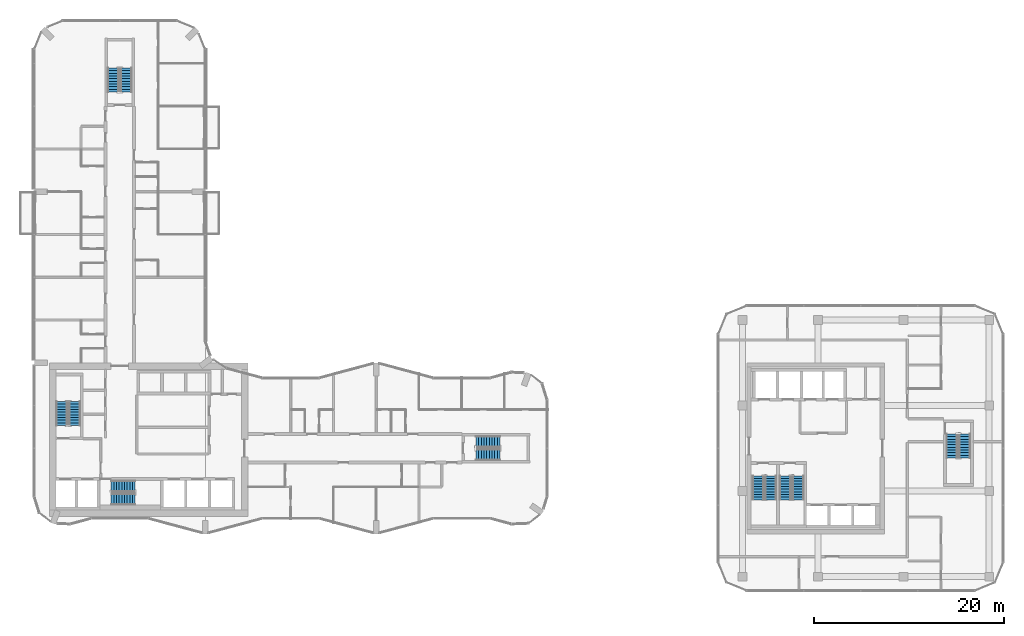
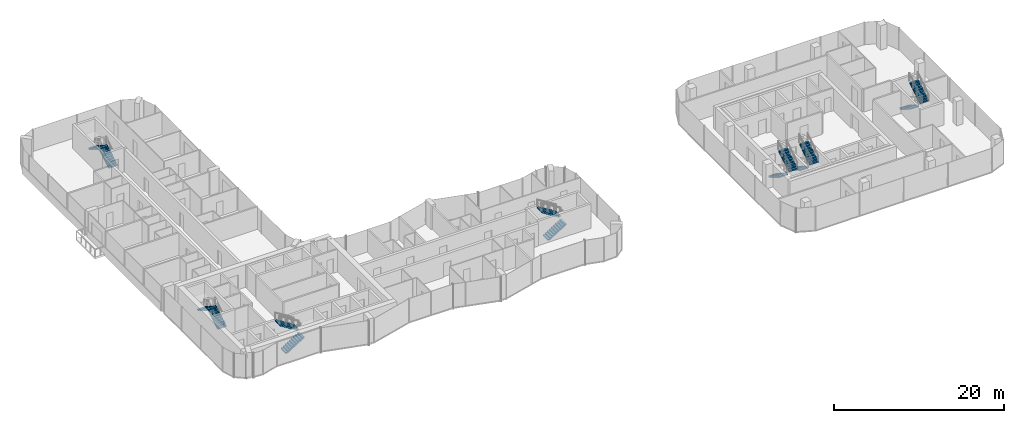
# One storey, part 19 of 22: 14 stair flights, 7 elements without a shape of their own.
"""IFC4 building model written with IfcOpenShell, lengths in metres."""

from ifc_helpers import new_model, si_unit, direction, frame, origin, place, context, subcontext, project, spatial, polyline, outline, extrude, material, type_object, element, aggregate, save


model = new_model("IFC4")

# Units and contexts
model_context = context("Model", 3, precision=1e-05, world=origin(), true_north=direction((0.0, 1.0)))
body_context = subcontext(model_context, "Body", "Model", "MODEL_VIEW")
ifc_project = project(units=[si_unit("LENGTHUNIT", "METRE"), si_unit("AREAUNIT", "SQUARE_METRE"), si_unit("VOLUMEUNIT", "CUBIC_METRE"), si_unit("PLANEANGLEUNIT", "RADIAN"), si_unit("MASSUNIT", "GRAM", prefix="KILO")], contexts=[model_context])

# Site, building, storey
site_placement = place(None, origin())
site = spatial("IfcSite", under=ifc_project, at=site_placement, CompositionType="ELEMENT")
building_placement = place(site_placement, origin())
building = spatial("IfcBuilding", under=site, at=building_placement, Name="Plateau Cross Towers", CompositionType="ELEMENT")
storey_placement = place(building_placement, frame((0.0, 0.0, 65.300048828125)))
storey = spatial("IfcBuildingStorey", under=building, at=storey_placement, Name="L16", CompositionType="ELEMENT", Elevation=65.300048828125)

# Stair, stair flights
ifc_material = material(Name="Concrete C40/50", Category="concrete")
stair_type = type_object("IfcStairType", Name="ST-TWR", PredefinedType="HALF_TURN_STAIR", material=ifc_material)
stair_1_placement = place(storey_placement, origin())
stair_1 = element("IfcStair", 1, at=stair_1_placement, inside=storey, type_object=stair_type, Name="L16 Protected Exit Stair ST-1", PredefinedType="HALF_TURN_STAIR")
stair_flight_type = type_object("IfcStairFlightType", Name="SFL-RC", PredefinedType="STRAIGHT", material=ifc_material)
stair_flight_1_placement = place(storey_placement, frame((4.25, 11.39990234375, 0.0), z_axis=(0.0, 0.0, 1.0), x_axis=(0.0, 1.0, 0.0)))
stair_flight_1 = element("IfcStairFlight", 2, at=stair_flight_1_placement, type_object=stair_flight_type, Name="ST-1 flight 1", NumberOfRisers=10, NumberOfTreads=9, PredefinedType="STRAIGHT", RiserHeight=0.175, TreadLength=0.28, context=body_context, shape_type="SweptSolid", body=[
    extrude(outline(polyline([(-0.0048828125, -0.010009765625), (-0.0048828125, 0.0), (0.0, 0.0), (0.0, 0.175048828125), (0.280029296875, 0.175048828125), (0.280029296875, 0.35009765625), (0.56005859375, 0.35009765625), (0.56005859375, 0.52490234375), (0.840087890625, 0.52490234375), (0.840087890625, 0.699951171875), (1.1201171875, 0.699951171875), (1.1201171875, 0.875), (1.39990234375, 0.875), (1.39990234375, 1.050048828125), (1.679931640625, 1.050048828125), (1.679931640625, 1.22509765625), (1.9599609375, 1.22509765625), (1.9599609375, 1.39990234375), (2.239990234375, 1.39990234375), (2.239990234375, 1.574951171875), (2.52001953125, 1.574951171875), (2.52490234375, 1.56494140625), (2.52490234375, 1.398193359375), (2.52001953125, 1.398193359375), (0.28271484375, 0.0), (0.02001953125, 0.0), (0.02001953125, -0.010009765625), (-0.0048828125, -0.010009765625)])), frame((0.0, 0.60009765625, 0.0), z_axis=(0.0, -1.0, 0.0), x_axis=(1.0, 0.0, 0.0)), (0.0, 0.0, 1.0), 1.199951171875),
])
stair_flight_2_placement = place(storey_placement, frame((2.89990234375, 13.919921875, 1.75), z_axis=(0.0, 0.0, 1.0), x_axis=(0.0, -1.0, 0.0)))
stair_flight_2 = element("IfcStairFlight", 3, at=stair_flight_2_placement, type_object=stair_flight_type, Name="ST-1 flight 2", NumberOfRisers=10, NumberOfTreads=9, PredefinedType="STRAIGHT", RiserHeight=0.175, TreadLength=0.28, context=body_context, shape_type="SweptSolid", body=[
    extrude(outline(polyline([(-0.0048828125, -0.010009765625), (-0.0048828125, 0.0), (0.0, 0.0), (0.0, 0.175048828125), (0.280029296875, 0.175048828125), (0.280029296875, 0.35009765625), (0.56005859375, 0.35009765625), (0.56005859375, 0.52490234375), (0.840087890625, 0.52490234375), (0.840087890625, 0.699951171875), (1.1201171875, 0.699951171875), (1.1201171875, 0.875), (1.39990234375, 0.875), (1.39990234375, 1.050048828125), (1.679931640625, 1.050048828125), (1.679931640625, 1.22509765625), (1.9599609375, 1.22509765625), (1.9599609375, 1.39990234375), (2.239990234375, 1.39990234375), (2.239990234375, 1.574951171875), (2.52001953125, 1.574951171875), (2.52490234375, 1.56494140625), (2.52490234375, 1.398193359375), (2.52001953125, 1.398193359375), (0.28271484375, 0.0), (0.02001953125, 0.0), (0.02001953125, -0.010009765625), (-0.0048828125, -0.010009765625)])), frame((0.0, 0.60009765625, 0.0), z_axis=(0.0, -1.0, 0.0), x_axis=(1.0, 0.0, 0.0)), (0.0, 0.0, 1.0), 1.199951171875),
])
aggregate(stair_1, [stair_flight_1, stair_flight_2])

stair_2_placement = place(storey_placement, origin())
stair_2 = element("IfcStair", 4, at=stair_2_placement, inside=storey, type_object=stair_type, Name="L16 Protected Exit Stair ST-2", PredefinedType="HALF_TURN_STAIR")
stair_flight_3_placement = place(storey_placement, frame((8.10009765625, 3.64990234375, 0.0), z_axis=(0.0, 0.0, 1.0), x_axis=(1.0, 0.0, 0.0)))
stair_flight_3 = element("IfcStairFlight", 5, at=stair_flight_3_placement, type_object=stair_flight_type, Name="ST-2 flight 1", NumberOfRisers=10, NumberOfTreads=9, PredefinedType="STRAIGHT", RiserHeight=0.175, TreadLength=0.28, context=body_context, shape_type="SweptSolid", body=[
    extrude(outline(polyline([(-0.0048828125, -0.010009765625), (-0.0048828125, 0.0), (0.0, 0.0), (0.0, 0.175048828125), (0.280029296875, 0.175048828125), (0.280029296875, 0.35009765625), (0.56005859375, 0.35009765625), (0.56005859375, 0.52490234375), (0.840087890625, 0.52490234375), (0.840087890625, 0.699951171875), (1.1201171875, 0.699951171875), (1.1201171875, 0.875), (1.39990234375, 0.875), (1.39990234375, 1.050048828125), (1.679931640625, 1.050048828125), (1.679931640625, 1.22509765625), (1.9599609375, 1.22509765625), (1.9599609375, 1.39990234375), (2.239990234375, 1.39990234375), (2.239990234375, 1.574951171875), (2.52001953125, 1.574951171875), (2.52490234375, 1.56494140625), (2.52490234375, 1.398193359375), (2.52001953125, 1.398193359375), (0.28271484375, 0.0), (0.02001953125, 0.0), (0.02001953125, -0.010009765625), (-0.0048828125, -0.010009765625)])), frame((0.0, 0.60009765625, 0.0), z_axis=(0.0, -1.0, 0.0), x_axis=(1.0, 0.0, 0.0)), (0.0, 0.0, 1.0), 1.199951171875),
])
stair_flight_4_placement = place(storey_placement, frame((10.6201171875, 5.0, 1.75), z_axis=(0.0, 0.0, 1.0), x_axis=(-1.0, 0.0, 0.0)))
stair_flight_4 = element("IfcStairFlight", 6, at=stair_flight_4_placement, type_object=stair_flight_type, Name="ST-2 flight 2", NumberOfRisers=10, NumberOfTreads=9, PredefinedType="STRAIGHT", RiserHeight=0.175, TreadLength=0.28, context=body_context, shape_type="SweptSolid", body=[
    extrude(outline(polyline([(-0.0048828125, -0.010009765625), (-0.0048828125, 0.0), (0.0, 0.0), (0.0, 0.175048828125), (0.280029296875, 0.175048828125), (0.280029296875, 0.35009765625), (0.56005859375, 0.35009765625), (0.56005859375, 0.52490234375), (0.840087890625, 0.52490234375), (0.840087890625, 0.699951171875), (1.1201171875, 0.699951171875), (1.1201171875, 0.875), (1.39990234375, 0.875), (1.39990234375, 1.050048828125), (1.679931640625, 1.050048828125), (1.679931640625, 1.22509765625), (1.9599609375, 1.22509765625), (1.9599609375, 1.39990234375), (2.239990234375, 1.39990234375), (2.239990234375, 1.574951171875), (2.52001953125, 1.574951171875), (2.52490234375, 1.56494140625), (2.52490234375, 1.398193359375), (2.52001953125, 1.398193359375), (0.28271484375, 0.0), (0.02001953125, 0.0), (0.02001953125, -0.010009765625), (-0.0048828125, -0.010009765625)])), frame((0.0, 0.60009765625, 0.0), z_axis=(0.0, -1.0, 0.0), x_axis=(1.0, 0.0, 0.0)), (0.0, 0.0, 1.0), 1.199951171875),
])
aggregate(stair_2, [stair_flight_3, stair_flight_4])

stair_3_placement = place(storey_placement, origin())
stair_3 = element("IfcStair", 7, at=stair_3_placement, inside=storey, type_object=stair_type, Name="L16 Protected Exit Stair SB-1", PredefinedType="HALF_TURN_STAIR")
stair_flight_5_placement = place(storey_placement, frame((76.199951171875, 6.10009765625, 0.0), z_axis=(0.0, 0.0, 1.0), x_axis=(0.0, -1.0, 0.0)))
stair_flight_5 = element("IfcStairFlight", 8, at=stair_flight_5_placement, type_object=stair_flight_type, Name="SB-1 flight 1", NumberOfRisers=10, NumberOfTreads=9, PredefinedType="STRAIGHT", RiserHeight=0.175, TreadLength=0.28, context=body_context, shape_type="SweptSolid", body=[
    extrude(outline(polyline([(-0.0048828125, -0.010009765625), (-0.0048828125, 0.0), (0.0, 0.0), (0.0, 0.175048828125), (0.280029296875, 0.175048828125), (0.280029296875, 0.35009765625), (0.56005859375, 0.35009765625), (0.56005859375, 0.52490234375), (0.840087890625, 0.52490234375), (0.840087890625, 0.699951171875), (1.1201171875, 0.699951171875), (1.1201171875, 0.875), (1.39990234375, 0.875), (1.39990234375, 1.050048828125), (1.679931640625, 1.050048828125), (1.679931640625, 1.22509765625), (1.9599609375, 1.22509765625), (1.9599609375, 1.39990234375), (2.239990234375, 1.39990234375), (2.239990234375, 1.574951171875), (2.52001953125, 1.574951171875), (2.52490234375, 1.56494140625), (2.52490234375, 1.398193359375), (2.52001953125, 1.398193359375), (0.28271484375, 0.0), (0.02001953125, 0.0), (0.02001953125, -0.010009765625), (-0.0048828125, -0.010009765625)])), frame((0.0, 0.60009765625, 0.0), z_axis=(0.0, -1.0, 0.0), x_axis=(1.0, 0.0, 0.0)), (0.0, 0.0, 1.0), 1.199951171875),
])
stair_flight_6_placement = place(storey_placement, frame((77.550048828125, 3.580078125, 1.75), z_axis=(0.0, 0.0, 1.0), x_axis=(0.0, 1.0, 0.0)))
stair_flight_6 = element("IfcStairFlight", 9, at=stair_flight_6_placement, type_object=stair_flight_type, Name="SB-1 flight 2", NumberOfRisers=10, NumberOfTreads=9, PredefinedType="STRAIGHT", RiserHeight=0.175, TreadLength=0.28, context=body_context, shape_type="SweptSolid", body=[
    extrude(outline(polyline([(-0.0048828125, -0.010009765625), (-0.0048828125, 0.0), (0.0, 0.0), (0.0, 0.175048828125), (0.280029296875, 0.175048828125), (0.280029296875, 0.35009765625), (0.56005859375, 0.35009765625), (0.56005859375, 0.52490234375), (0.840087890625, 0.52490234375), (0.840087890625, 0.699951171875), (1.1201171875, 0.699951171875), (1.1201171875, 0.875), (1.39990234375, 0.875), (1.39990234375, 1.050048828125), (1.679931640625, 1.050048828125), (1.679931640625, 1.22509765625), (1.9599609375, 1.22509765625), (1.9599609375, 1.39990234375), (2.239990234375, 1.39990234375), (2.239990234375, 1.574951171875), (2.52001953125, 1.574951171875), (2.52490234375, 1.56494140625), (2.52490234375, 1.398193359375), (2.52001953125, 1.398193359375), (0.28271484375, 0.0), (0.02001953125, 0.0), (0.02001953125, -0.010009765625), (-0.0048828125, -0.010009765625)])), frame((0.0, 0.60009765625, 0.0), z_axis=(0.0, -1.0, 0.0), x_axis=(1.0, 0.0, 0.0)), (0.0, 0.0, 1.0), 1.199951171875),
])
aggregate(stair_3, [stair_flight_5, stair_flight_6])

stair_4_placement = place(storey_placement, origin())
stair_4 = element("IfcStair", 10, at=stair_4_placement, inside=storey, type_object=stair_type, Name="L16 Protected Exit Stair SB-2", PredefinedType="HALF_TURN_STAIR")
stair_flight_7_placement = place(storey_placement, frame((79.050048828125, 6.10009765625, 0.0), z_axis=(0.0, 0.0, 1.0), x_axis=(0.0, -1.0, 0.0)))
stair_flight_7 = element("IfcStairFlight", 11, at=stair_flight_7_placement, type_object=stair_flight_type, Name="SB-2 flight 1", NumberOfRisers=10, NumberOfTreads=9, PredefinedType="STRAIGHT", RiserHeight=0.175, TreadLength=0.28, context=body_context, shape_type="SweptSolid", body=[
    extrude(outline(polyline([(-0.0048828125, -0.010009765625), (-0.0048828125, 0.0), (0.0, 0.0), (0.0, 0.175048828125), (0.280029296875, 0.175048828125), (0.280029296875, 0.35009765625), (0.56005859375, 0.35009765625), (0.56005859375, 0.52490234375), (0.840087890625, 0.52490234375), (0.840087890625, 0.699951171875), (1.1201171875, 0.699951171875), (1.1201171875, 0.875), (1.39990234375, 0.875), (1.39990234375, 1.050048828125), (1.679931640625, 1.050048828125), (1.679931640625, 1.22509765625), (1.9599609375, 1.22509765625), (1.9599609375, 1.39990234375), (2.239990234375, 1.39990234375), (2.239990234375, 1.574951171875), (2.52001953125, 1.574951171875), (2.52490234375, 1.56494140625), (2.52490234375, 1.398193359375), (2.52001953125, 1.398193359375), (0.28271484375, 0.0), (0.02001953125, 0.0), (0.02001953125, -0.010009765625), (-0.0048828125, -0.010009765625)])), frame((0.0, 0.60009765625, 0.0), z_axis=(0.0, -1.0, 0.0), x_axis=(1.0, 0.0, 0.0)), (0.0, 0.0, 1.0), 1.199951171875),
])
stair_flight_8_placement = place(storey_placement, frame((80.39990234375, 3.580078125, 1.75), z_axis=(0.0, 0.0, 1.0), x_axis=(0.0, 1.0, 0.0)))
stair_flight_8 = element("IfcStairFlight", 12, at=stair_flight_8_placement, type_object=stair_flight_type, Name="SB-2 flight 2", NumberOfRisers=10, NumberOfTreads=9, PredefinedType="STRAIGHT", RiserHeight=0.175, TreadLength=0.28, context=body_context, shape_type="SweptSolid", body=[
    extrude(outline(polyline([(-0.0048828125, -0.010009765625), (-0.0048828125, 0.0), (0.0, 0.0), (0.0, 0.175048828125), (0.280029296875, 0.175048828125), (0.280029296875, 0.35009765625), (0.56005859375, 0.35009765625), (0.56005859375, 0.52490234375), (0.840087890625, 0.52490234375), (0.840087890625, 0.699951171875), (1.1201171875, 0.699951171875), (1.1201171875, 0.875), (1.39990234375, 0.875), (1.39990234375, 1.050048828125), (1.679931640625, 1.050048828125), (1.679931640625, 1.22509765625), (1.9599609375, 1.22509765625), (1.9599609375, 1.39990234375), (2.239990234375, 1.39990234375), (2.239990234375, 1.574951171875), (2.52001953125, 1.574951171875), (2.52490234375, 1.56494140625), (2.52490234375, 1.398193359375), (2.52001953125, 1.398193359375), (0.28271484375, 0.0), (0.02001953125, 0.0), (0.02001953125, -0.010009765625), (-0.0048828125, -0.010009765625)])), frame((0.0, 0.60009765625, 0.0), z_axis=(0.0, -1.0, 0.0), x_axis=(1.0, 0.0, 0.0)), (0.0, 0.0, 1.0), 1.199951171875),
])
aggregate(stair_4, [stair_flight_7, stair_flight_8])

stair_5_placement = place(storey_placement, origin())
stair_5 = element("IfcStair", 13, at=stair_5_placement, inside=storey, type_object=stair_type, Name="L16 Protected Exit Stair SB-3", PredefinedType="HALF_TURN_STAIR")
stair_flight_9_placement = place(storey_placement, frame((96.60009765625, 10.5, 0.0), z_axis=(0.0, 0.0, 1.0), x_axis=(0.0, -1.0, 0.0)))
stair_flight_9 = element("IfcStairFlight", 14, at=stair_flight_9_placement, type_object=stair_flight_type, Name="SB-3 flight 1", NumberOfRisers=10, NumberOfTreads=9, PredefinedType="STRAIGHT", RiserHeight=0.175, TreadLength=0.28, context=body_context, shape_type="SweptSolid", body=[
    extrude(outline(polyline([(-0.0048828125, -0.010009765625), (-0.0048828125, 0.0), (0.0, 0.0), (0.0, 0.175048828125), (0.280029296875, 0.175048828125), (0.280029296875, 0.35009765625), (0.56005859375, 0.35009765625), (0.56005859375, 0.52490234375), (0.840087890625, 0.52490234375), (0.840087890625, 0.699951171875), (1.1201171875, 0.699951171875), (1.1201171875, 0.875), (1.39990234375, 0.875), (1.39990234375, 1.050048828125), (1.679931640625, 1.050048828125), (1.679931640625, 1.22509765625), (1.9599609375, 1.22509765625), (1.9599609375, 1.39990234375), (2.239990234375, 1.39990234375), (2.239990234375, 1.574951171875), (2.52001953125, 1.574951171875), (2.52490234375, 1.56494140625), (2.52490234375, 1.398193359375), (2.52001953125, 1.398193359375), (0.28271484375, 0.0), (0.02001953125, 0.0), (0.02001953125, -0.010009765625), (-0.0048828125, -0.010009765625)])), frame((0.0, 0.60009765625, 0.0), z_axis=(0.0, -1.0, 0.0), x_axis=(1.0, 0.0, 0.0)), (0.0, 0.0, 1.0), 1.199951171875),
])
stair_flight_10_placement = place(storey_placement, frame((97.949951171875, 7.97998046875, 1.75), z_axis=(0.0, 0.0, 1.0), x_axis=(0.0, 1.0, 0.0)))
stair_flight_10 = element("IfcStairFlight", 15, at=stair_flight_10_placement, type_object=stair_flight_type, Name="SB-3 flight 2", NumberOfRisers=10, NumberOfTreads=9, PredefinedType="STRAIGHT", RiserHeight=0.175, TreadLength=0.28, context=body_context, shape_type="SweptSolid", body=[
    extrude(outline(polyline([(-0.0048828125, -0.010009765625), (-0.0048828125, 0.0), (0.0, 0.0), (0.0, 0.175048828125), (0.280029296875, 0.175048828125), (0.280029296875, 0.35009765625), (0.56005859375, 0.35009765625), (0.56005859375, 0.52490234375), (0.840087890625, 0.52490234375), (0.840087890625, 0.699951171875), (1.1201171875, 0.699951171875), (1.1201171875, 0.875), (1.39990234375, 0.875), (1.39990234375, 1.050048828125), (1.679931640625, 1.050048828125), (1.679931640625, 1.22509765625), (1.9599609375, 1.22509765625), (1.9599609375, 1.39990234375), (2.239990234375, 1.39990234375), (2.239990234375, 1.574951171875), (2.52001953125, 1.574951171875), (2.52490234375, 1.56494140625), (2.52490234375, 1.398193359375), (2.52001953125, 1.398193359375), (0.28271484375, 0.0), (0.02001953125, 0.0), (0.02001953125, -0.010009765625), (-0.0048828125, -0.010009765625)])), frame((0.0, 0.60009765625, 0.0), z_axis=(0.0, -1.0, 0.0), x_axis=(1.0, 0.0, 0.0)), (0.0, 0.0, 1.0), 1.199951171875),
])
aggregate(stair_5, [stair_flight_9, stair_flight_10])

stair_6_placement = place(storey_placement, origin())
stair_6 = element("IfcStair", 16, at=stair_6_placement, inside=storey, type_object=stair_type, Name="L16 Protected Exit Stair E", PredefinedType="HALF_TURN_STAIR")
stair_flight_11_placement = place(storey_placement, frame((46.5, 8.324951171875, 0.0), z_axis=(0.0, 0.0, 1.0), x_axis=(1.0, 0.0, 0.0)))
stair_flight_11 = element("IfcStairFlight", 17, at=stair_flight_11_placement, type_object=stair_flight_type, Name="ES-E flight 1", NumberOfRisers=10, NumberOfTreads=9, PredefinedType="STRAIGHT", RiserHeight=0.175, TreadLength=0.28, context=body_context, shape_type="SweptSolid", body=[
    extrude(outline(polyline([(-0.0048828125, -0.010009765625), (-0.0048828125, 0.0), (0.0, 0.0), (0.0, 0.175048828125), (0.280029296875, 0.175048828125), (0.280029296875, 0.35009765625), (0.56005859375, 0.35009765625), (0.56005859375, 0.52490234375), (0.840087890625, 0.52490234375), (0.840087890625, 0.699951171875), (1.1201171875, 0.699951171875), (1.1201171875, 0.875), (1.39990234375, 0.875), (1.39990234375, 1.050048828125), (1.679931640625, 1.050048828125), (1.679931640625, 1.22509765625), (1.9599609375, 1.22509765625), (1.9599609375, 1.39990234375), (2.239990234375, 1.39990234375), (2.239990234375, 1.574951171875), (2.52001953125, 1.574951171875), (2.52490234375, 1.56494140625), (2.52490234375, 1.398193359375), (2.52001953125, 1.398193359375), (0.28271484375, 0.0), (0.02001953125, 0.0), (0.02001953125, -0.010009765625), (-0.0048828125, -0.010009765625)])), frame((0.0, 0.60009765625, 0.0), z_axis=(0.0, -1.0, 0.0), x_axis=(1.0, 0.0, 0.0)), (0.0, 0.0, 1.0), 1.199951171875),
])
stair_flight_12_placement = place(storey_placement, frame((49.02001953125, 9.675048828125, 1.75), z_axis=(0.0, 0.0, 1.0), x_axis=(-1.0, 0.0, 0.0)))
stair_flight_12 = element("IfcStairFlight", 18, at=stair_flight_12_placement, type_object=stair_flight_type, Name="ES-E flight 2", NumberOfRisers=10, NumberOfTreads=9, PredefinedType="STRAIGHT", RiserHeight=0.175, TreadLength=0.28, context=body_context, shape_type="SweptSolid", body=[
    extrude(outline(polyline([(-0.0048828125, -0.010009765625), (-0.0048828125, 0.0), (0.0, 0.0), (0.0, 0.175048828125), (0.280029296875, 0.175048828125), (0.280029296875, 0.35009765625), (0.56005859375, 0.35009765625), (0.56005859375, 0.52490234375), (0.840087890625, 0.52490234375), (0.840087890625, 0.699951171875), (1.1201171875, 0.699951171875), (1.1201171875, 0.875), (1.39990234375, 0.875), (1.39990234375, 1.050048828125), (1.679931640625, 1.050048828125), (1.679931640625, 1.22509765625), (1.9599609375, 1.22509765625), (1.9599609375, 1.39990234375), (2.239990234375, 1.39990234375), (2.239990234375, 1.574951171875), (2.52001953125, 1.574951171875), (2.52490234375, 1.56494140625), (2.52490234375, 1.398193359375), (2.52001953125, 1.398193359375), (0.28271484375, 0.0), (0.02001953125, 0.0), (0.02001953125, -0.010009765625), (-0.0048828125, -0.010009765625)])), frame((0.0, 0.60009765625, 0.0), z_axis=(0.0, -1.0, 0.0), x_axis=(1.0, 0.0, 0.0)), (0.0, 0.0, 1.0), 1.199951171875),
])
aggregate(stair_6, [stair_flight_11, stair_flight_12])

stair_7_placement = place(storey_placement, origin())
stair_7 = element("IfcStair", 19, at=stair_7_placement, inside=storey, type_object=stair_type, Name="L16 Protected Exit Stair N", PredefinedType="HALF_TURN_STAIR")
stair_flight_13_placement = place(storey_placement, frame((9.675048828125, 46.5, 0.0), z_axis=(0.0, 0.0, 1.0), x_axis=(0.0, 1.0, 0.0)))
stair_flight_13 = element("IfcStairFlight", 20, at=stair_flight_13_placement, type_object=stair_flight_type, Name="ES-N flight 1", NumberOfRisers=10, NumberOfTreads=9, PredefinedType="STRAIGHT", RiserHeight=0.175, TreadLength=0.28, context=body_context, shape_type="SweptSolid", body=[
    extrude(outline(polyline([(-0.0048828125, -0.010009765625), (-0.0048828125, 0.0), (0.0, 0.0), (0.0, 0.175048828125), (0.280029296875, 0.175048828125), (0.280029296875, 0.35009765625), (0.56005859375, 0.35009765625), (0.56005859375, 0.52490234375), (0.840087890625, 0.52490234375), (0.840087890625, 0.699951171875), (1.1201171875, 0.699951171875), (1.1201171875, 0.875), (1.39990234375, 0.875), (1.39990234375, 1.050048828125), (1.679931640625, 1.050048828125), (1.679931640625, 1.22509765625), (1.9599609375, 1.22509765625), (1.9599609375, 1.39990234375), (2.239990234375, 1.39990234375), (2.239990234375, 1.574951171875), (2.52001953125, 1.574951171875), (2.52490234375, 1.56494140625), (2.52490234375, 1.398193359375), (2.52001953125, 1.398193359375), (0.28271484375, 0.0), (0.02001953125, 0.0), (0.02001953125, -0.010009765625), (-0.0048828125, -0.010009765625)])), frame((0.0, 0.60009765625, 0.0), z_axis=(0.0, -1.0, 0.0), x_axis=(1.0, 0.0, 0.0)), (0.0, 0.0, 1.0), 1.199951171875),
])
stair_flight_14_placement = place(storey_placement, frame((8.324951171875, 49.02001953125, 1.75), z_axis=(0.0, 0.0, 1.0), x_axis=(0.0, -1.0, 0.0)))
stair_flight_14 = element("IfcStairFlight", 21, at=stair_flight_14_placement, type_object=stair_flight_type, Name="ES-N flight 2", NumberOfRisers=10, NumberOfTreads=9, PredefinedType="STRAIGHT", RiserHeight=0.175, TreadLength=0.28, context=body_context, shape_type="SweptSolid", body=[
    extrude(outline(polyline([(-0.0048828125, -0.010009765625), (-0.0048828125, 0.0), (0.0, 0.0), (0.0, 0.175048828125), (0.280029296875, 0.175048828125), (0.280029296875, 0.35009765625), (0.56005859375, 0.35009765625), (0.56005859375, 0.52490234375), (0.840087890625, 0.52490234375), (0.840087890625, 0.699951171875), (1.1201171875, 0.699951171875), (1.1201171875, 0.875), (1.39990234375, 0.875), (1.39990234375, 1.050048828125), (1.679931640625, 1.050048828125), (1.679931640625, 1.22509765625), (1.9599609375, 1.22509765625), (1.9599609375, 1.39990234375), (2.239990234375, 1.39990234375), (2.239990234375, 1.574951171875), (2.52001953125, 1.574951171875), (2.52490234375, 1.56494140625), (2.52490234375, 1.398193359375), (2.52001953125, 1.398193359375), (0.28271484375, 0.0), (0.02001953125, 0.0), (0.02001953125, -0.010009765625), (-0.0048828125, -0.010009765625)])), frame((0.0, 0.60009765625, 0.0), z_axis=(0.0, -1.0, 0.0), x_axis=(1.0, 0.0, 0.0)), (0.0, 0.0, 1.0), 1.199951171875),
])
aggregate(stair_7, [stair_flight_13, stair_flight_14])

save(model, "model.ifc")
